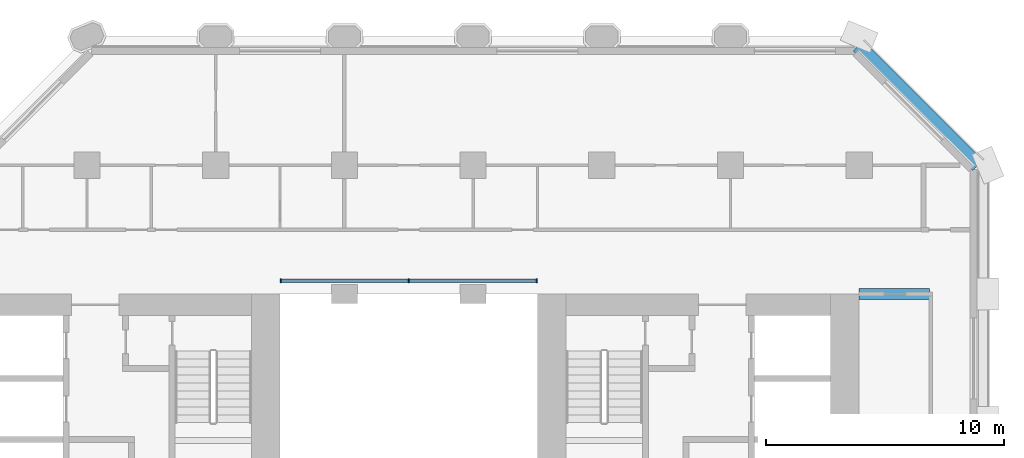
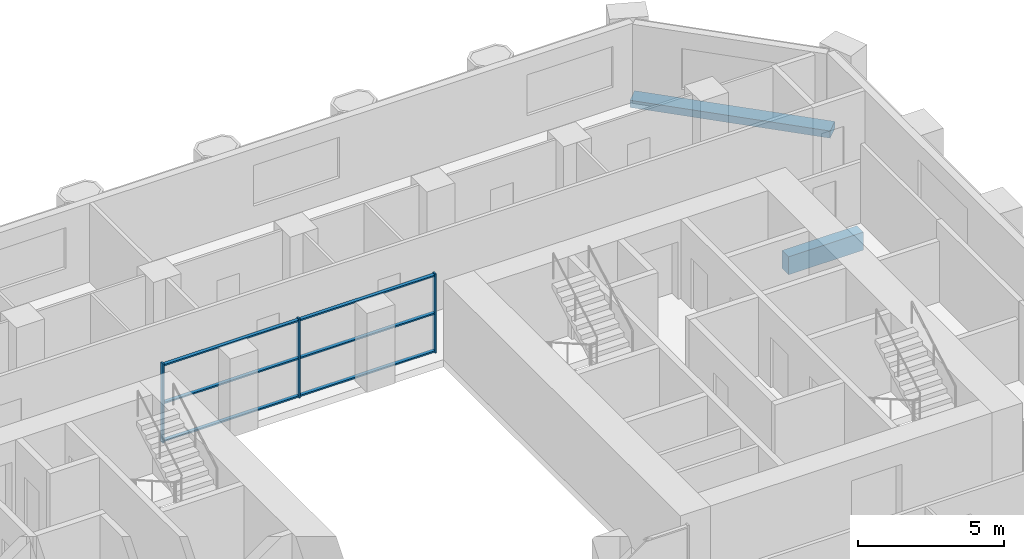
# One storey, part 6 of 13: 9 members, 2 beams, 1 element without a shape of its own.
"""IFC4 building model written with IfcOpenShell, lengths in metres."""

from ifc_helpers import new_model, si_unit, direction, frame, origin, origin_2d, place, context, subcontext, project, spatial, rectangle, extrude, material, material_profile, profile_set, type_object, element, aggregate, save


model = new_model("IFC4")

# Units and contexts
model_context = context("Model", 3, precision=1e-05, world=origin(), true_north=direction((0.0, 1.0)))
body_context = subcontext(model_context, "Body", "Model", "MODEL_VIEW")
ifc_project = project(units=[si_unit("LENGTHUNIT", "METRE"), si_unit("AREAUNIT", "SQUARE_METRE"), si_unit("VOLUMEUNIT", "CUBIC_METRE"), si_unit("PLANEANGLEUNIT", "RADIAN"), si_unit("MASSUNIT", "GRAM", prefix="KILO")], contexts=[model_context])

# Site, building, storey
site_placement = place(None, origin())
site = spatial("IfcSite", under=ifc_project, at=site_placement, CompositionType="ELEMENT")
building_placement = place(site_placement, origin())
building = spatial("IfcBuilding", under=site, at=building_placement, Name="Tabaq Tower and Sports Hall", CompositionType="ELEMENT")
storey_placement = place(building_placement, frame((0.0, 0.0, 56.39990234375)))
storey = spatial("IfcBuildingStorey", under=building, at=storey_placement, Name="L12", CompositionType="ELEMENT", Elevation=56.39990234375)

# Curtain wall, members
ifc_material_1 = material(Name="Aluminium alloy 6063-T6 framed glazing", Category="aluminium")
curtain_wall_type = type_object("IfcCurtainWallType", Name="CW1 curtain wall", PredefinedType="USERDEFINED", material=ifc_material_1)
curtain_wall_placement = place(storey_placement, origin())
curtain_wall = element("IfcCurtainWall", 1, at=curtain_wall_placement, inside=storey, type_object=curtain_wall_type, Name="Atrium glazing L12 N", ObjectType="ATRIUM ENCLOSURE", PredefinedType="USERDEFINED")
ifc_material_2 = material(Name="Aluminium alloy 6063-T6", Category="aluminium")
ifc_material_profile_1 = material_profile(ifc_material_2, rectangle(XDim=0.159912109375, YDim=0.06005859375, at=origin_2d()), Name="MULLION 160x60")
ifc_profile_set_1 = profile_set([ifc_material_profile_1], Name="Aluminium alloy 6063-T6")
member_type_1 = type_object("IfcMemberType", Name="CW1 mullion 160x60", PredefinedType="MULLION", material=ifc_profile_set_1)
member_1_placement = place(storey_placement, frame((18.929931640625, 32.949951171875, 0.0), z_axis=(0.0, 0.0, 1.0), x_axis=(0.0, 1.0, 0.0)))
member_1 = element("IfcMember", 2, at=member_1_placement, type_object=member_type_1, Name="CW1 mullion 1", PredefinedType="MULLION", context=body_context, shape_type="SweptSolid", body=[
    extrude(rectangle(XDim=0.159912109375, YDim=0.06005859375, at=origin_2d()), origin(), (0.0, 0.0, 1.0), 3.300048828125),
])
member_2_placement = place(storey_placement, frame((24.300048828125, 32.949951171875, 0.0), z_axis=(0.0, 0.0, 1.0), x_axis=(0.0, 1.0, 0.0)))
member_2 = element("IfcMember", 3, at=member_2_placement, type_object=member_type_1, Name="CW1 mullion 2", PredefinedType="MULLION", context=body_context, shape_type="SweptSolid", body=[
    extrude(rectangle(XDim=0.159912109375, YDim=0.06005859375, at=origin_2d()), origin(), (0.0, 0.0, 1.0), 3.300048828125),
])
member_3_placement = place(storey_placement, frame((29.669921875, 32.949951171875, 0.0), z_axis=(0.0, 0.0, 1.0), x_axis=(0.0, 1.0, 0.0)))
member_3 = element("IfcMember", 4, at=member_3_placement, type_object=member_type_1, Name="CW1 mullion 3", PredefinedType="MULLION", context=body_context, shape_type="SweptSolid", body=[
    extrude(rectangle(XDim=0.159912109375, YDim=0.06005859375, at=origin_2d()), origin(), (0.0, 0.0, 1.0), 3.300048828125),
])
ifc_material_3 = material(Name="Aluminium alloy 6063-T6", Category="aluminium")
ifc_material_profile_2 = material_profile(ifc_material_3, rectangle(XDim=0.139892578125, YDim=0.06005859375, at=origin_2d()), Name="TRANSOM 140x60")
ifc_profile_set_2 = profile_set([ifc_material_profile_2], Name="Aluminium alloy 6063-T6")
member_type_2 = type_object("IfcMemberType", Name="CW1 transom 140x60", PredefinedType="USERDEFINED", material=ifc_profile_set_2)
member_4_placement = place(storey_placement, frame((18.9599609375, 32.949951171875, 0.070068359375), z_axis=(1.0, 0.0, 0.0), x_axis=(0.0, 1.0, 0.0)))
member_4 = element("IfcMember", 5, at=member_4_placement, type_object=member_type_2, Name="CW1 transom 1.1", ObjectType="TRANSOM", PredefinedType="USERDEFINED", context=body_context, shape_type="SweptSolid", body=[
    extrude(rectangle(XDim=0.139892578125, YDim=0.06005859375, at=origin_2d()), origin(), (0.0, 0.0, 1.0), 5.31005859375),
])
member_5_placement = place(storey_placement, frame((18.9599609375, 32.949951171875, 1.650146484375), z_axis=(1.0, 0.0, 0.0), x_axis=(0.0, 1.0, 0.0)))
member_5 = element("IfcMember", 6, at=member_5_placement, type_object=member_type_2, Name="CW1 transom 1.2", ObjectType="TRANSOM", PredefinedType="USERDEFINED", context=body_context, shape_type="SweptSolid", body=[
    extrude(rectangle(XDim=0.139892578125, YDim=0.06005859375, at=origin_2d()), origin(), (0.0, 0.0, 1.0), 5.31005859375),
])
member_6_placement = place(storey_placement, frame((18.9599609375, 32.949951171875, 3.22998046875), z_axis=(1.0, 0.0, 0.0), x_axis=(0.0, 1.0, 0.0)))
member_6 = element("IfcMember", 7, at=member_6_placement, type_object=member_type_2, Name="CW1 transom 1.3", ObjectType="TRANSOM", PredefinedType="USERDEFINED", context=body_context, shape_type="SweptSolid", body=[
    extrude(rectangle(XDim=0.139892578125, YDim=0.06005859375, at=origin_2d()), origin(), (0.0, 0.0, 1.0), 5.31005859375),
])
member_7_placement = place(storey_placement, frame((24.330078125, 32.949951171875, 0.070068359375), z_axis=(1.0, 0.0, 0.0), x_axis=(0.0, 1.0, 0.0)))
member_7 = element("IfcMember", 8, at=member_7_placement, type_object=member_type_2, Name="CW1 transom 2.1", ObjectType="TRANSOM", PredefinedType="USERDEFINED", context=body_context, shape_type="SweptSolid", body=[
    extrude(rectangle(XDim=0.139892578125, YDim=0.06005859375, at=origin_2d()), origin(), (0.0, 0.0, 1.0), 5.309814453125),
])
member_8_placement = place(storey_placement, frame((24.330078125, 32.949951171875, 1.650146484375), z_axis=(1.0, 0.0, 0.0), x_axis=(0.0, 1.0, 0.0)))
member_8 = element("IfcMember", 9, at=member_8_placement, type_object=member_type_2, Name="CW1 transom 2.2", ObjectType="TRANSOM", PredefinedType="USERDEFINED", context=body_context, shape_type="SweptSolid", body=[
    extrude(rectangle(XDim=0.139892578125, YDim=0.06005859375, at=origin_2d()), origin(), (0.0, 0.0, 1.0), 5.309814453125),
])
member_9_placement = place(storey_placement, frame((24.330078125, 32.949951171875, 3.22998046875), z_axis=(1.0, 0.0, 0.0), x_axis=(0.0, 1.0, 0.0)))
member_9 = element("IfcMember", 10, at=member_9_placement, type_object=member_type_2, Name="CW1 transom 2.3", ObjectType="TRANSOM", PredefinedType="USERDEFINED", context=body_context, shape_type="SweptSolid", body=[
    extrude(rectangle(XDim=0.139892578125, YDim=0.06005859375, at=origin_2d()), origin(), (0.0, 0.0, 1.0), 5.309814453125),
])
aggregate(curtain_wall, [member_1, member_2, member_3, member_4, member_5, member_6, member_7, member_8, member_9])

# Beams
ifc_material_4 = material(Name="Concrete C40/50", Category="concrete")
ifc_material_profile_3 = material_profile(ifc_material_4, rectangle(XDim=0.449951171875, YDim=0.75, at=origin_2d()), Name="CB 450x750")
ifc_profile_set_3 = profile_set([ifc_material_profile_3], Name="Concrete C40/50")
beam_type_1 = type_object("IfcBeamType", Name="PT CANTILEVER BEAM CB 450x750 C40/50", PredefinedType="BEAM", material=ifc_profile_set_3)
beam_1_placement = place(storey_placement, frame((46.14990234375, 32.39990234375, -0.6748046875), z_axis=(-1.0, 0.0, 0.0), x_axis=(0.0, -1.0, 0.0)))
element("IfcBeam", 11, at=beam_1_placement, inside=storey, type_object=beam_type_1, Name="Cantilever Beam L12 E6 span 1", PredefinedType="BEAM", context=body_context, shape_type="SweptSolid", body=[
    extrude(rectangle(XDim=0.449951171875, YDim=0.75, at=origin_2d()), origin(), (0.0, 0.0, 1.0), 2.949951171875),
])
ifc_material_5 = material(Name="Concrete C40/50", Category="concrete")
ifc_material_profile_4 = material_profile(ifc_material_5, rectangle(XDim=0.60009765625, YDim=0.300048828125, at=origin_2d()), Name="EB 600x300")
ifc_profile_set_4 = profile_set([ifc_material_profile_4], Name="Concrete C40/50")
beam_type_2 = type_object("IfcBeamType", Name="PT EDGE BEAM EB 600x300 C40/50", PredefinedType="SPANDREL", material=ifc_profile_set_4)
beam_2_placement = place(storey_placement, frame((48.1767578125, 37.799072265625, -0.14990234375), z_axis=(-0.707124002701, 0.707089559252, 0.0), x_axis=(-0.707089559252, -0.707124002701, 0.0)))
element("IfcBeam", 12, at=beam_2_placement, inside=storey, type_object=beam_type_2, Name="Edge Beam L12 4", PredefinedType="SPANDREL", context=body_context, shape_type="SweptSolid", body=[
    extrude(rectangle(XDim=0.60009765625, YDim=0.300048828125, at=origin_2d()), origin(), (0.0, 0.0, 1.0), 7.088134765625),
])

save(model, "model.ifc")
